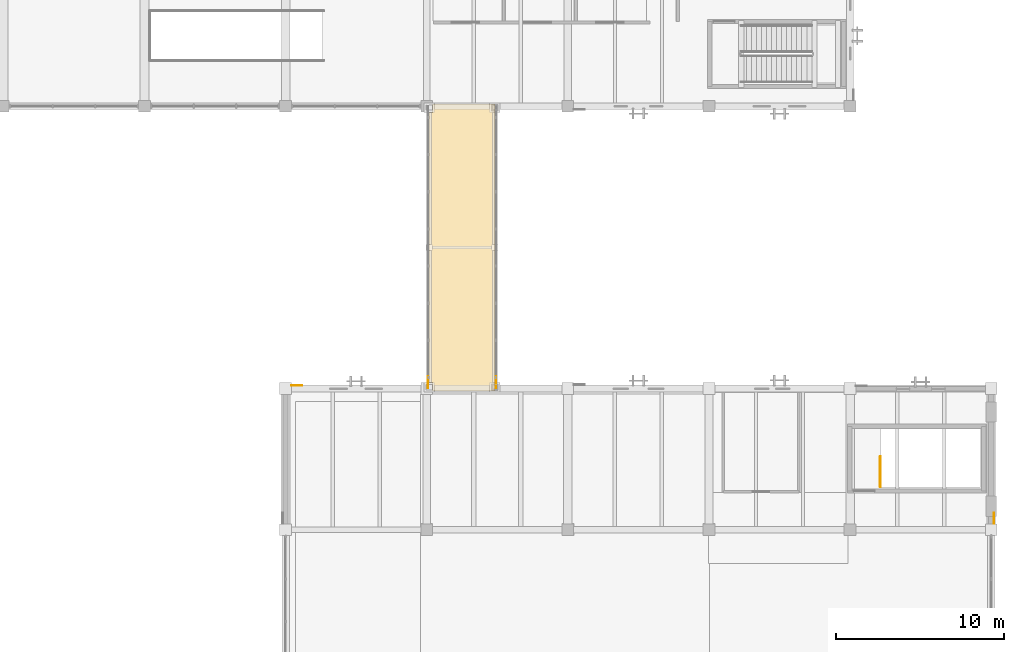
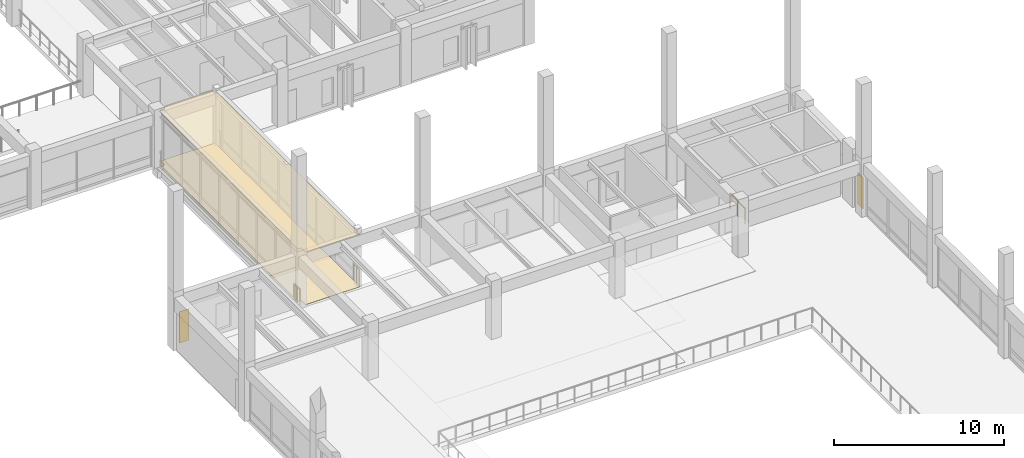
# One storey, part 127 of 132: 4 coverings, 3 railings.
"""IFC4 building model written with IfcOpenShell, lengths in metres."""

from ifc_helpers import new_model, si_unit, direction, frame, origin, origin_2d, place, context, subcontext, project, spatial, polyline, circle, outline, extrude, material, layer, layer_set, type_object, element, save


model = new_model("IFC4")

# Units and contexts
model_context = context("Model", 3, precision=1e-05, world=origin(), true_north=direction((0.0, 1.0)))
body_context = subcontext(model_context, "Body", "Model", "MODEL_VIEW")
ifc_project = project(units=[si_unit("LENGTHUNIT", "METRE"), si_unit("AREAUNIT", "SQUARE_METRE"), si_unit("VOLUMEUNIT", "CUBIC_METRE"), si_unit("PLANEANGLEUNIT", "RADIAN"), si_unit("MASSUNIT", "GRAM", prefix="KILO")], contexts=[model_context])

# Site, building, storey
site_placement = place(None, origin())
site = spatial("IfcSite", under=ifc_project, at=site_placement, CompositionType="ELEMENT")
building_placement = place(site_placement, origin())
building = spatial("IfcBuilding", under=site, at=building_placement, Name="Cumbredor Promenade Congress Hotel", CompositionType="ELEMENT")
storey_placement = place(building_placement, frame((0.0, 0.0, 7.56005859375)))
storey = spatial("IfcBuildingStorey", under=building, at=storey_placement, Name="L02", CompositionType="ELEMENT", Elevation=7.56005859375)

# Covering
ifc_material_1 = material(Name="Acoustic mineral-fiber and gypsum ceiling")
ifc_layer_1 = layer(ifc_material_1, 0.01806640625, Name="Acoustic mineral-fiber and gypsum ceiling")
ifc_layer_set_1 = layer_set([ifc_layer_1], Name="Acoustic mineral-fiber and gypsum ceiling")
covering_type_1 = type_object("IfcCoveringType", Name="Acoustic Perforated Gypsum Ceiling CLG-01 18mm", PredefinedType="CEILING", material=ifc_layer_set_1)
covering_1_placement = place(storey_placement, frame((0.0, 0.0, 3.781982421875)))
element("IfcCovering", 1, at=covering_1_placement, inside=storey, type_object=covering_type_1, Name="L02 East Ballroom-to-Forum Glazed Bridge Concourse Acoustic Ceiling", PredefinedType="CEILING", context=body_context, shape_type="SweptSolid", body=[
    extrude(outline(polyline([(155.27001953125, 67.06005859375), (151.554931640625, 67.06005859375), (151.554931640625, 67.554931640625), (151.330078125, 67.554931640625), (151.330078125, 83.64501953125), (151.554931640625, 83.64501953125), (151.554931640625, 84.139892578125), (155.27001953125, 84.139892578125), (155.27001953125, 67.06005859375)])), origin(), (0.0, 0.0, 1.0), 0.01806640625),
])

# Railing
ifc_material_2 = material(Name="Brushed stainless steel", Category="steel")
railing_type_1 = type_object("IfcRailingType", Name="Interior Void & Stair Guardrail GR-1100", PredefinedType="GUARDRAIL", material=ifc_material_2)
railing_placement = place(storey_placement, frame((178.199951171875, 61.35009765625, 0.0)))
element("IfcRailing", 2, at=railing_placement, inside=storey, type_object=railing_type_1, Name="L02 ST-10 top well guard 1", PredefinedType="GUARDRAIL", context=body_context, shape_type="SweptSolid", body=[
    extrude(circle(Radius=0.02392578125, at=origin_2d()), frame((0.0, 0.0, 1.09619140625), z_axis=(0.0, 1.0, 0.0), x_axis=(-1.0, 0.0, 0.0)), (0.0, 0.0, 1.0), 1.7998046875),
    extrude(circle(Radius=0.02099609375, at=origin_2d()), origin(), (0.0, 0.0, 1.0), 1.072021484375),
    extrude(circle(Radius=0.02099609375, at=origin_2d()), frame((0.0, 0.89990234375, 0.0)), (0.0, 0.0, 1.0), 1.072021484375),
    extrude(circle(Radius=0.02099609375, at=origin_2d()), frame((0.0, 1.7998046875, 0.0)), (0.0, 0.0, 1.0), 1.072021484375),
])

# Covering
ifc_material_3 = material(Name="Porcelain stoneware tile", Category="masonry")
ifc_layer_2 = layer(ifc_material_3, 0.02001953125, Name="Porcelain stoneware tile", Category="masonry")
ifc_layer_set_2 = layer_set([ifc_layer_2], Name="Porcelain stoneware tile")
covering_type_2 = type_object("IfcCoveringType", Name="Porcelain Stoneware Flooring FLR-01 20mm", PredefinedType="FLOORING", material=ifc_layer_set_2)
covering_2_placement = place(storey_placement, origin())
element("IfcCovering", 3, at=covering_2_placement, inside=storey, type_object=covering_type_2, Name="L02 East Ballroom-to-Forum Glazed Bridge Concourse Porcelain Flooring", PredefinedType="FLOORING", context=body_context, shape_type="SweptSolid", body=[
    extrude(outline(polyline([(155.27001953125, 67.06005859375), (151.554931640625, 67.06005859375), (151.554931640625, 67.554931640625), (151.330078125, 67.554931640625), (151.330078125, 83.64501953125), (151.554931640625, 83.64501953125), (151.554931640625, 84.139892578125), (155.27001953125, 84.139892578125), (155.27001953125, 67.06005859375)])), origin(), (0.0, 0.0, 1.0), 0.02001953125),
])

# Railings
railing_type_2 = type_object("IfcRailingType", Name="Sky Garden Glass-and-Steel Balustrade BAL-1150", PredefinedType="BALUSTRADE", material=ifc_material_2)
for number, where, name in (
    (4, (151.280029296875, 67.22998046875, 0.0), "L02 East Ballroom-to-Forum Glazed Bridge End Guardrail SW"),
    (5, (155.320068359375, 67.22998046875, 0.0), "L02 East Ballroom-to-Forum Glazed Bridge End Guardrail SE"),
):
    element("IfcRailing", number, at=place(storey_placement, frame(where)), inside=storey, type_object=railing_type_2, Name=name, PredefinedType="BALUSTRADE", context=body_context, shape_type="SweptSolid", body=[
        extrude(circle(Radius=0.02392578125, at=origin_2d()), frame((0.0, 0.0, 1.1259765625), z_axis=(0.0, 1.0, 0.0), x_axis=(-1.0, 0.0, 0.0)), (0.0, 0.0, 1.0), 0.669921875),
        extrude(circle(Radius=0.02099609375, at=origin_2d()), origin(), (0.0, 0.0, 1.0), 1.101806640625),
        extrude(circle(Radius=0.02099609375, at=origin_2d()), frame((0.0, 0.3349609375, 0.0)), (0.0, 0.0, 1.0), 1.101806640625),
        extrude(circle(Radius=0.02099609375, at=origin_2d()), frame((0.0, 0.669921875, 0.0)), (0.0, 0.0, 1.0), 1.101806640625),
    ])

# Coverings
ifc_material_4 = material(Name="Volcanic andesite ashlar cladding", Category="masonry")
ifc_layer_3 = layer(ifc_material_4, 0.034912109375, Name="Volcanic andesite ashlar cladding", Category="masonry")
ifc_layer_set_3 = layer_set([ifc_layer_3], Name="Volcanic andesite ashlar cladding")
covering_type_3 = type_object("IfcCoveringType", Name="Volcanic Andesite Ashlar Rainscreen Cladding 35mm", PredefinedType="CLADDING", material=ifc_layer_set_3)
covering_3_placement = place(storey_placement, origin())
element("IfcCovering", 6, at=covering_3_placement, inside=storey, type_object=covering_type_3, Name="L02 Facade Stone Cladding Pier 103", PredefinedType="CLADDING", context=body_context, shape_type="SweptSolid", body=[
    extrude(outline(polyline([(143.15087890625, 67.375), (143.801025390625, 67.375), (143.801025390625, 67.409912109375), (143.15087890625, 67.409912109375), (143.15087890625, 67.375)])), origin(), (0.0, 0.0, 1.0), 2.25),
])
covering_4_placement = place(storey_placement, origin())
element("IfcCovering", 7, at=covering_4_placement, inside=storey, type_object=covering_type_3, Name="L02 Facade Stone Cladding Pier 109", PredefinedType="CLADDING", context=body_context, shape_type="SweptSolid", body=[
    extrude(outline(polyline([(184.949951171875, 59.15087890625), (184.949951171875, 59.801025390625), (184.985107421875, 59.801025390625), (184.985107421875, 59.15087890625), (184.949951171875, 59.15087890625)])), origin(), (0.0, 0.0, 1.0), 2.25),
])

save(model, "model.ifc")
